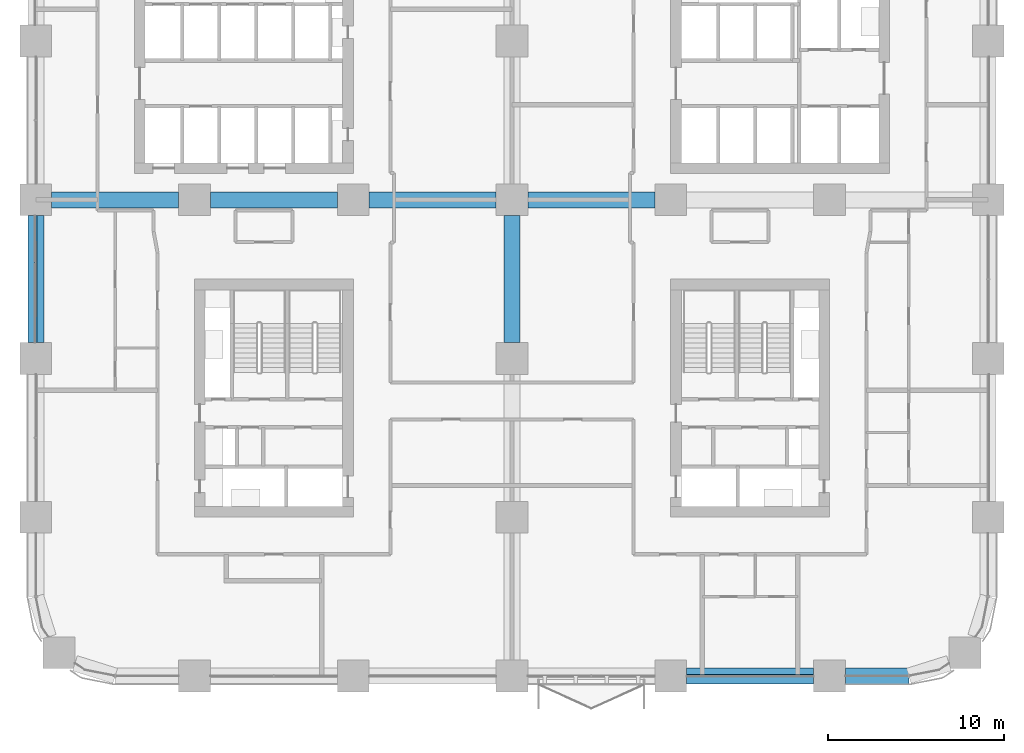
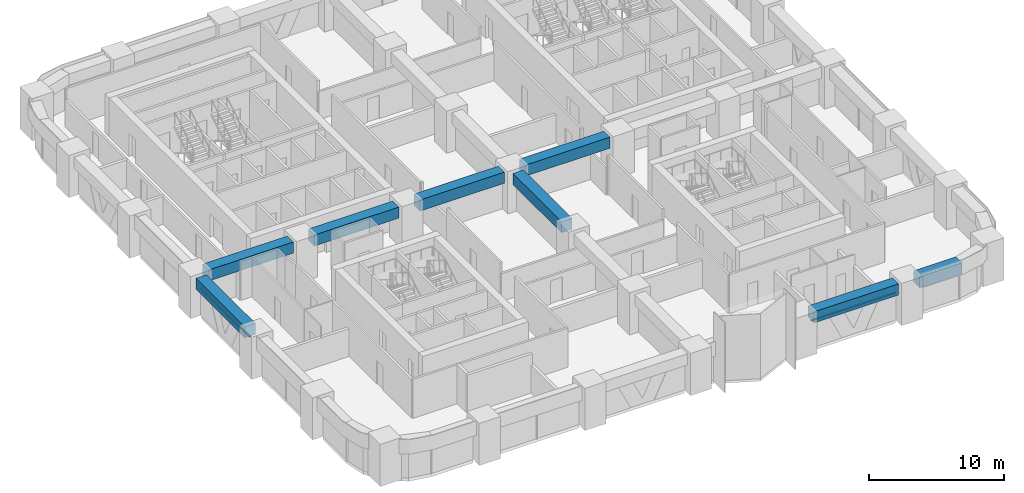
# One storey, part 4 of 22: 8 beams, 2 members, 2 elements without a shape of their own.
"""IFC4 building model written with IfcOpenShell, lengths in metres."""

from ifc_helpers import new_model, si_unit, direction, frame, origin, origin_2d, place, context, subcontext, project, spatial, rectangle, extrude, material, material_profile, profile_set, type_object, element, aggregate, save


model = new_model("IFC4")

# Units and contexts
model_context = context("Model", 3, precision=1e-05, world=origin(), true_north=direction((0.0, 1.0)))
body_context = subcontext(model_context, "Body", "Model", "MODEL_VIEW")
ifc_project = project(units=[si_unit("LENGTHUNIT", "METRE"), si_unit("AREAUNIT", "SQUARE_METRE"), si_unit("VOLUMEUNIT", "CUBIC_METRE"), si_unit("PLANEANGLEUNIT", "RADIAN"), si_unit("MASSUNIT", "GRAM", prefix="KILO")], contexts=[model_context])

# Site, building, storey
site_placement = place(None, origin())
site = spatial("IfcSite", under=ifc_project, at=site_placement, CompositionType="ELEMENT")
building_placement = place(site_placement, origin())
building = spatial("IfcBuilding", under=site, at=building_placement, Name="Tessera Arch", CompositionType="ELEMENT")
storey_placement = place(building_placement, frame((0.0, 0.0, 53.800048828125)))
storey = spatial("IfcBuildingStorey", under=building, at=storey_placement, Name="L11", CompositionType="ELEMENT", Elevation=53.800048828125)

# Curtain wall, member
ifc_material_1 = material(Name="CW3 curtain wall")
curtain_wall_type = type_object("IfcCurtainWallType", Name="CW3 curtain wall", PredefinedType="NOTDEFINED", material=ifc_material_1)
curtain_wall_1_placement = place(storey_placement, origin())
curtain_wall_1 = element("IfcCurtainWall", 1, at=curtain_wall_1_placement, inside=storey, type_object=curtain_wall_type, Name="CW3 curtain wall S0.0/3 L11", PredefinedType="NOTDEFINED")
ifc_material_2 = material(Name="Anodised aluminium pale metal", Category="aluminium")
ifc_material_profile_1 = material_profile(ifc_material_2, rectangle(XDim=0.139892578125, YDim=0.10009765625, at=origin_2d()), Name="AL 140x100")
ifc_profile_set_1 = profile_set([ifc_material_profile_1], Name="Anodised aluminium pale metal")
member_type = type_object("IfcMemberType", Name="CW3 transom", PredefinedType="USERDEFINED", material=ifc_profile_set_1)
member_1_placement = place(storey_placement, frame((36.89990234375, 0.0, 2.449951171875), z_axis=(1.0, 0.0, 0.0), x_axis=(0.0, 1.0, 0.0)))
member_1 = element("IfcMember", 2, at=member_1_placement, type_object=member_type, Name="CW3 transom S0.0/3 1.1", ObjectType="TRANSOM", PredefinedType="USERDEFINED", context=body_context, shape_type="SweptSolid", body=[
    extrude(rectangle(XDim=0.139892578125, YDim=0.10009765625, at=origin_2d()), origin(), (0.0, 0.0, 1.0), 7.2001953125),
])
aggregate(curtain_wall_1, [member_1])

curtain_wall_2_placement = place(storey_placement, origin())
curtain_wall_2 = element("IfcCurtainWall", 3, at=curtain_wall_2_placement, inside=storey, type_object=curtain_wall_type, Name="CW3 curtain wall W0.0/3 L11", PredefinedType="NOTDEFINED")
member_2_placement = place(storey_placement, frame((0.0, 26.10009765625, 2.449951171875), z_axis=(0.0, -1.0, 0.0), x_axis=(1.0, 0.0, 0.0)))
member_2 = element("IfcMember", 4, at=member_2_placement, type_object=member_type, Name="CW3 transom W0.0/3 1.1", ObjectType="TRANSOM", PredefinedType="USERDEFINED", context=body_context, shape_type="SweptSolid", body=[
    extrude(rectangle(XDim=0.139892578125, YDim=0.10009765625, at=origin_2d()), origin(), (0.0, 0.0, 1.0), 7.2001953125),
])
aggregate(curtain_wall_2, [member_2])

# Beams
ifc_material_3 = material(Name="Concrete C80/95", Category="concrete")
ifc_material_profile_2 = material_profile(ifc_material_3, rectangle(XDim=0.89990234375, YDim=1.0, at=origin_2d()), Name="RC spandrel beam 900 x 1000 Concrete C80/95")
ifc_profile_set_2 = profile_set([ifc_material_profile_2], Name="Concrete C80/95")
beam_type = type_object("IfcBeamType", Name="RC spandrel beam 900 x 1000 Concrete C80/95", PredefinedType="BEAM", material=ifc_profile_set_2)
beam_1_placement = place(storey_placement, frame((36.89990234375, 0.0, 3.0), z_axis=(1.0, 0.0, 0.0), x_axis=(0.0, 1.0, 0.0)))
element("IfcBeam", 5, at=beam_1_placement, inside=storey, type_object=beam_type, Name="Spandrel beam L11 S0.0/3", PredefinedType="BEAM", context=body_context, shape_type="SweptSolid", body=[
    extrude(rectangle(XDim=0.89990234375, YDim=1.0, at=origin_2d()), origin(), (0.0, 0.0, 1.0), 7.2001953125),
])
beam_2_placement = place(storey_placement, frame((45.89990234375, 0.0, 3.0), z_axis=(1.0, 0.0, 0.0), x_axis=(0.0, 1.0, 0.0)))
element("IfcBeam", 6, at=beam_2_placement, inside=storey, type_object=beam_type, Name="Spandrel beam L11 S0.0/4.1", PredefinedType="BEAM", context=body_context, shape_type="SweptSolid", body=[
    extrude(rectangle(XDim=0.89990234375, YDim=1.0, at=origin_2d()), origin(), (0.0, 0.0, 1.0), 3.60009765625),
])
for number, where, z_axis, x_axis, name in (
    (7, (0.0, 26.10009765625, 3.0), (0.0, -1.0, 0.0), (1.0, 0.0, 0.0), "Spandrel beam L11 W0.0/3"),
    (8, (27.0, 18.89990234375, 3.0), (0.0, 1.0, 0.0), (-1.0, 0.0, 0.0), "Interface beam L11 I0C4C-C4D"),
    (9, (0.89990234375, 27.0, 3.0), (1.0, 0.0, 0.0), (0.0, 1.0, 0.0), "Interface beam L11 I1C1D-C2D"),
    (10, (9.89990234375, 27.0, 3.0), (1.0, 0.0, 0.0), (0.0, 1.0, 0.0), "Interface beam L11 I1C2D-C3D"),
    (11, (18.89990234375, 27.0, 3.0), (1.0, 0.0, 0.0), (0.0, 1.0, 0.0), "Interface beam L11 I1C3D-C4D"),
    (12, (27.89990234375, 27.0, 3.0), (1.0, 0.0, 0.0), (0.0, 1.0, 0.0), "Interface beam L11 I1C4D-C5D"),
):
    element("IfcBeam", number, at=place(storey_placement, frame(where, z_axis=z_axis, x_axis=x_axis)), inside=storey, type_object=beam_type, Name=name, PredefinedType="BEAM", context=body_context, shape_type="SweptSolid", body=[
        extrude(rectangle(XDim=0.89990234375, YDim=1.0, at=origin_2d()), origin(), (0.0, 0.0, 1.0), 7.2001953125),
    ])

save(model, "model.ifc")
